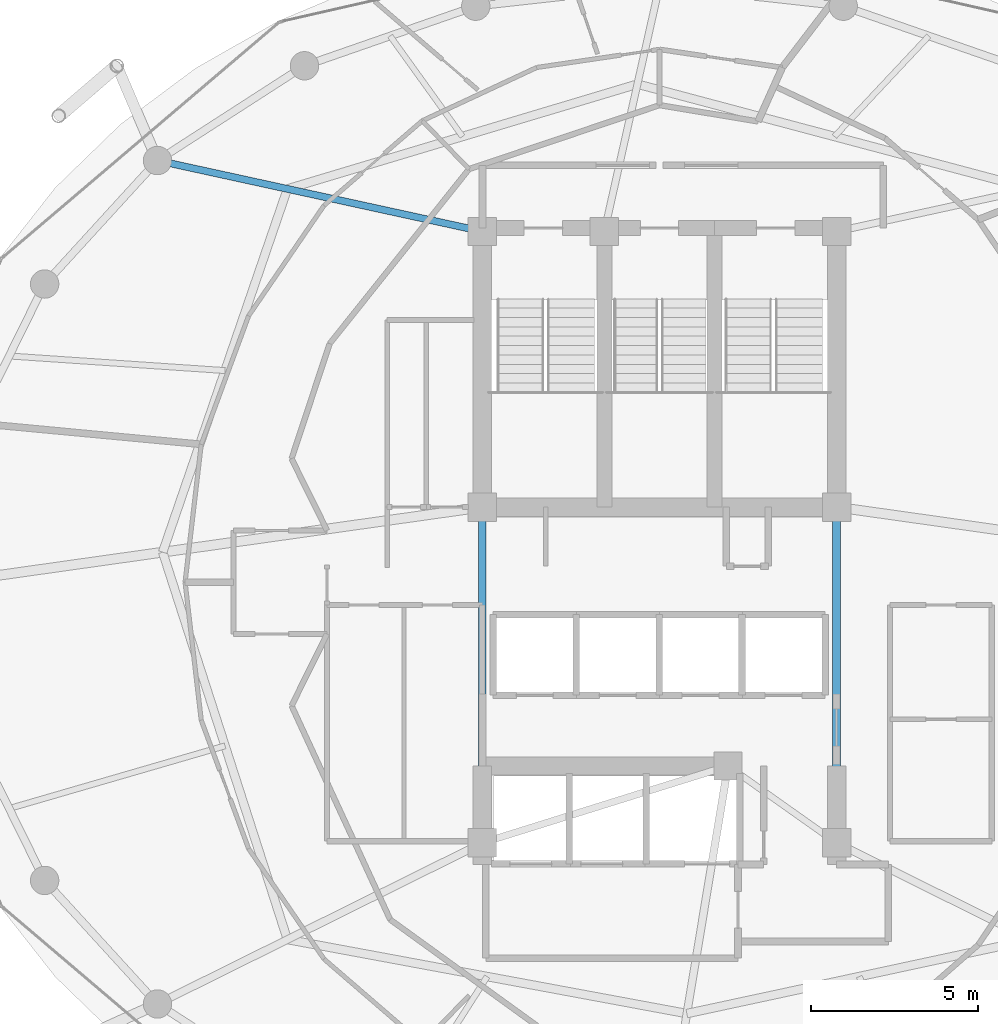
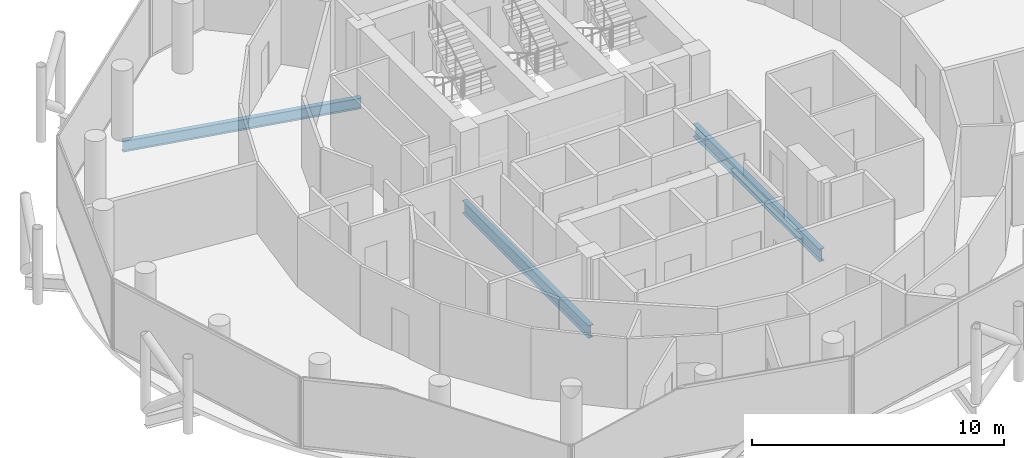
# One storey, part 10 of 27: 3 beams.
"""IFC4 building model written with IfcOpenShell, lengths in metres."""

from ifc_helpers import new_model, si_unit, direction, frame, origin, origin_2d, place, context, subcontext, project, spatial, i_section, extrude, material, material_profile, profile_set, type_object, element, save


model = new_model("IFC4")

# Units and contexts
model_context = context("Model", 3, precision=1e-05, world=origin(), true_north=direction((0.0, 1.0)))
body_context = subcontext(model_context, "Body", "Model", "MODEL_VIEW")
ifc_project = project(units=[si_unit("LENGTHUNIT", "METRE"), si_unit("AREAUNIT", "SQUARE_METRE"), si_unit("VOLUMEUNIT", "CUBIC_METRE"), si_unit("PLANEANGLEUNIT", "RADIAN"), si_unit("MASSUNIT", "GRAM", prefix="KILO")], contexts=[model_context])

# Site, building, storey
site_placement = place(None, origin())
site = spatial("IfcSite", under=ifc_project, at=site_placement, CompositionType="ELEMENT")
building_placement = place(site_placement, origin())
building = spatial("IfcBuilding", under=site, at=building_placement, Name="Nuhasar Tower", CompositionType="ELEMENT")
storey_placement = place(building_placement, frame((0.0, 0.0, 241.0)))
storey = spatial("IfcBuildingStorey", under=building, at=storey_placement, Name="L59", CompositionType="ELEMENT", Elevation=241.0)

# Beams
ifc_material = material(Name="Steel S355", Category="steel")
ifc_material_profile_1 = material_profile(ifc_material, i_section(OverallWidth=0.208984375, OverallDepth=0.528076171875, WebThickness=0.009521484375, FlangeThickness=0.01318359375, at=origin_2d()), Name="W21X55")
ifc_profile_set_1 = profile_set([ifc_material_profile_1], Name="Steel S355")
beam_type_1 = type_object("IfcBeamType", Name="BM-RAD-W21X55", PredefinedType="BEAM", material=ifc_profile_set_1)
beam_placement = place(storey_placement, frame((33.699951171875, 37.300048828125, -0.50390625), z_axis=(-0.977014275474, 0.213173885644, 0.0), x_axis=(-0.213173885644, -0.977014275474, 0.0)))
element("IfcBeam", 1, at=beam_placement, inside=storey, type_object=beam_type_1, Name="L59 Radial Floor Girder 07", PredefinedType="BEAM", context=body_context, shape_type="SweptSolid", body=[
    extrude(i_section(OverallWidth=0.208984375, OverallDepth=0.528076171875, WebThickness=0.009521484375, FlangeThickness=0.01318359375, at=origin_2d()), origin(), (0.0, 0.0, 1.0), 9.95458984375),
])
ifc_material_profile_2 = material_profile(ifc_material, i_section(OverallWidth=0.22900390625, OverallDepth=0.612060546875, WebThickness=0.011962890625, FlangeThickness=0.01953125, at=origin_2d()), Name="W24X84")
ifc_profile_set_2 = profile_set([ifc_material_profile_2], Name="Steel S355")
beam_type_2 = type_object("IfcBeamType", Name="BM-RAD-W24X84", PredefinedType="BEAM", material=ifc_profile_set_2)
for number, where, z_axis, x_axis, name in (
    (2, (44.300048828125, 19.0, -0.5458984375), (0.0, 1.0, 0.0), (-1.0, 0.0, 0.0), "L59 Core Ring Girder 3"),
    (3, (33.699951171875, 29.050048828125, -0.5458984375), (0.0, -1.0, 0.0), (1.0, 0.0, 0.0), "L59 Core Ring Girder 8"),
):
    element("IfcBeam", number, at=place(storey_placement, frame(where, z_axis=z_axis, x_axis=x_axis)), inside=storey, type_object=beam_type_2, Name=name, PredefinedType="BEAM", context=body_context, shape_type="SweptSolid", body=[
        extrude(i_section(OverallWidth=0.22900390625, OverallDepth=0.612060546875, WebThickness=0.011962890625, FlangeThickness=0.01953125, at=origin_2d()), origin(), (0.0, 0.0, 1.0), 10.050048828125),
    ])

save(model, "model.ifc")
